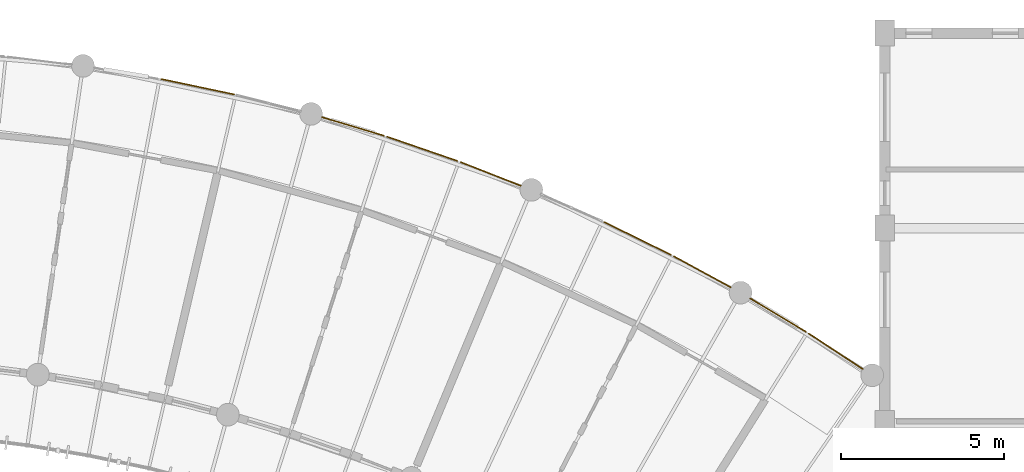
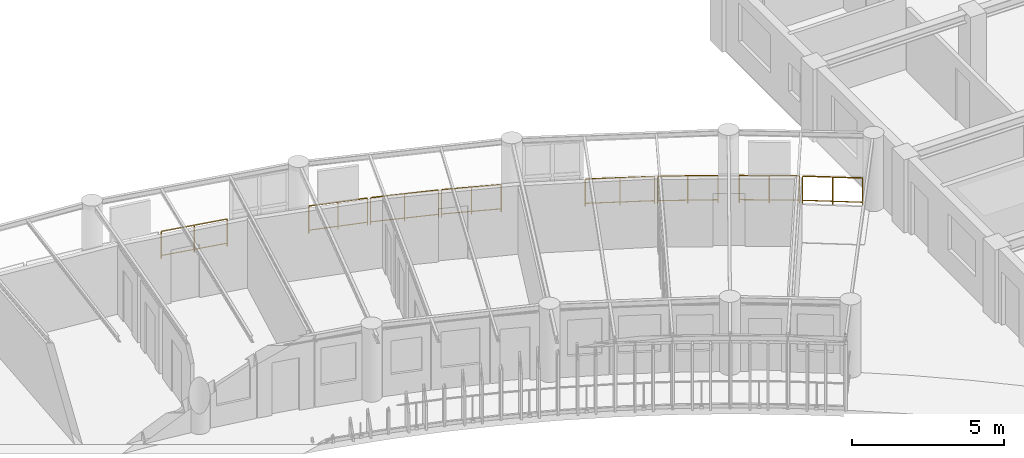
# One storey, part 137 of 137: 8 railings.
"""IFC4 building model written with IfcOpenShell, lengths in metres."""

from ifc_helpers import new_model, si_unit, direction, frame, origin, origin_2d, place, context, subcontext, project, spatial, circle, extrude, material, layer, layer_set, type_object, element, save


model = new_model("IFC4")

# Units and contexts
model_context = context("Model", 3, precision=1e-05, world=origin(), true_north=direction((0.0, 1.0)))
body_context = subcontext(model_context, "Body", "Model", "MODEL_VIEW")
ifc_project = project(units=[si_unit("LENGTHUNIT", "METRE"), si_unit("AREAUNIT", "SQUARE_METRE"), si_unit("VOLUMEUNIT", "CUBIC_METRE"), si_unit("PLANEANGLEUNIT", "RADIAN"), si_unit("MASSUNIT", "GRAM", prefix="KILO"), si_unit("POWERUNIT", "WATT"), si_unit("THERMODYNAMICTEMPERATUREUNIT", "KELVIN")], contexts=[model_context])

# Site, building, storey
site_placement = place(None, origin())
site = spatial("IfcSite", under=ifc_project, at=site_placement, CompositionType="ELEMENT")
building_placement = place(site_placement, origin())
building = spatial("IfcBuilding", under=site, at=building_placement, Name="Ruvembo Vaulted Housing Court", CompositionType="ELEMENT")
storey_placement = place(building_placement, frame((0.0, 0.0, 4.5)))
storey = spatial("IfcBuildingStorey", under=building, at=storey_placement, Name="L01", CompositionType="ELEMENT", Elevation=4.5)

# Railings
ifc_material = material(Name="Galvanised Painted Steel and Laminated Glass", Category="steel")
ifc_layer = layer(ifc_material, 0.070068359375, Name="Galvanised Painted Steel and Laminated Glass")
ifc_layer_set = layer_set([ifc_layer], Name="Galvanised Painted Steel and Laminated Glass")
railing_type = type_object("IfcRailingType", Name="RL-BALUST-1120", PredefinedType="BALUSTRADE", material=ifc_layer_set)
railing_1_placement = place(storey_placement, frame((127.74609375, 106.587646484375, 0.0)))
element("IfcRailing", 1, at=railing_1_placement, inside=storey, type_object=railing_type, Name="L01 Perimeter Guard RL-EXT-L01-0600", PredefinedType="BALUSTRADE", context=body_context, shape_type="SweptSolid", body=[
    extrude(circle(Radius=0.02392578125, at=origin_2d()), frame((0.0, 0.0, 1.09619140625), z_axis=(0.978529427243, -0.206107156642, 0.0), x_axis=(0.206107156642, 0.978529427243, 0.0)), (0.0, 0.0, 1.0), 2.290771484375),
    extrude(circle(Radius=0.01806640625, at=origin_2d()), frame((0.0, 0.0, 0.1201171875), z_axis=(0.978529427243, -0.206107156642, 0.0), x_axis=(0.206107156642, 0.978529427243, 0.0)), (0.0, 0.0, 1.0), 2.290771484375),
    extrude(circle(Radius=0.02099609375, at=origin_2d()), origin(), (0.0, 0.0, 1.0), 1.072021484375),
    extrude(circle(Radius=0.02099609375, at=origin_2d()), frame((1.120849609375, -0.236083984375, 0.0)), (0.0, 0.0, 1.0), 1.072021484375),
    extrude(circle(Radius=0.02099609375, at=origin_2d()), frame((2.24169921875, -0.47216796875, 0.0)), (0.0, 0.0, 1.0), 1.072021484375),
])
railing_2_placement = place(storey_placement, frame((132.68896484375, 105.415771484375, 0.0)))
element("IfcRailing", 2, at=railing_2_placement, inside=storey, type_object=railing_type, Name="L01 Perimeter Guard RL-EXT-L01-0601", PredefinedType="BALUSTRADE", context=body_context, shape_type="SweptSolid", body=[
    extrude(circle(Radius=0.02392578125, at=origin_2d()), frame((0.0, 0.0, 1.09619140625), z_axis=(0.958058843181, -0.286571549535, 0.0), x_axis=(0.286571549535, 0.958058843181, 0.0)), (0.0, 0.0, 1.0), 1.990966796875),
    extrude(circle(Radius=0.01806640625, at=origin_2d()), frame((0.0, 0.0, 0.1201171875), z_axis=(0.958058843181, -0.286571549535, 0.0), x_axis=(0.286571549535, 0.958058843181, 0.0)), (0.0, 0.0, 1.0), 1.990966796875),
    extrude(circle(Radius=0.02099609375, at=origin_2d()), origin(), (0.0, 0.0, 1.0), 1.072021484375),
    extrude(circle(Radius=0.02099609375, at=origin_2d()), frame((0.95361328125, -0.28515625, 0.0)), (0.0, 0.0, 1.0), 1.072021484375),
    extrude(circle(Radius=0.02099609375, at=origin_2d()), frame((1.907470703125, -0.570556640625, 0.0)), (0.0, 0.0, 1.0), 1.072021484375),
])
railing_3_placement = place(storey_placement, frame((134.691650390625, 104.814697265625, 0.0)))
element("IfcRailing", 3, at=railing_3_placement, inside=storey, type_object=railing_type, Name="L01 Perimeter Guard RL-EXT-L01-0602", PredefinedType="BALUSTRADE", context=body_context, shape_type="SweptSolid", body=[
    extrude(circle(Radius=0.02392578125, at=origin_2d()), frame((0.0, 0.0, 1.09619140625), z_axis=(0.945360522116, -0.326026813659, 0.0), x_axis=(0.326026813659, 0.945360522116, 0.0)), (0.0, 0.0, 1.0), 2.290771484375),
    extrude(circle(Radius=0.01806640625, at=origin_2d()), frame((0.0, 0.0, 0.1201171875), z_axis=(0.945360522116, -0.326026813659, 0.0), x_axis=(0.326026813659, 0.945360522116, 0.0)), (0.0, 0.0, 1.0), 2.290771484375),
    extrude(circle(Radius=0.02099609375, at=origin_2d()), origin(), (0.0, 0.0, 1.0), 1.072021484375),
    extrude(circle(Radius=0.02099609375, at=origin_2d()), frame((1.082763671875, -0.37353515625, 0.0)), (0.0, 0.0, 1.0), 1.072021484375),
    extrude(circle(Radius=0.02099609375, at=origin_2d()), frame((2.16552734375, -0.746826171875, 0.0)), (0.0, 0.0, 1.0), 1.072021484375),
])
railing_4_placement = place(storey_placement, frame((136.951171875, 104.033447265625, 0.0)))
element("IfcRailing", 4, at=railing_4_placement, inside=storey, type_object=railing_type, Name="L01 Perimeter Guard RL-EXT-L01-0603", PredefinedType="BALUSTRADE", context=body_context, shape_type="SweptSolid", body=[
    extrude(circle(Radius=0.02392578125, at=origin_2d()), frame((0.0, 0.0, 1.09619140625), z_axis=(0.930967477035, -0.365102118184, 0.0), x_axis=(0.365102118184, 0.930967477035, 0.0)), (0.0, 0.0, 1.0), 1.99072265625),
    extrude(circle(Radius=0.01806640625, at=origin_2d()), frame((0.0, 0.0, 0.1201171875), z_axis=(0.930967477035, -0.365102118184, 0.0), x_axis=(0.365102118184, 0.930967477035, 0.0)), (0.0, 0.0, 1.0), 1.99072265625),
    extrude(circle(Radius=0.02099609375, at=origin_2d()), origin(), (0.0, 0.0, 1.0), 1.072021484375),
    extrude(circle(Radius=0.02099609375, at=origin_2d()), frame((0.9267578125, -0.36328125, 0.0)), (0.0, 0.0, 1.0), 1.072021484375),
    extrude(circle(Radius=0.02099609375, at=origin_2d()), frame((1.853271484375, -0.726806640625, 0.0)), (0.0, 0.0, 1.0), 1.072021484375),
])
railing_5_placement = place(storey_placement, frame((141.363037109375, 102.19287109375, 0.0)))
element("IfcRailing", 5, at=railing_5_placement, inside=storey, type_object=railing_type, Name="L01 Perimeter Guard RL-EXT-L01-0604", PredefinedType="BALUSTRADE", context=body_context, shape_type="SweptSolid", body=[
    extrude(circle(Radius=0.02392578125, at=origin_2d()), frame((0.0, 0.0, 1.09619140625), z_axis=(0.897517329608, -0.440979186644, 0.0), x_axis=(0.440979186644, 0.897517329608, 0.0)), (0.0, 0.0, 1.0), 2.291015625),
    extrude(circle(Radius=0.01806640625, at=origin_2d()), frame((0.0, 0.0, 0.1201171875), z_axis=(0.897517329608, -0.440979186644, 0.0), x_axis=(0.440979186644, 0.897517329608, 0.0)), (0.0, 0.0, 1.0), 2.291015625),
    extrude(circle(Radius=0.02099609375, at=origin_2d()), origin(), (0.0, 0.0, 1.0), 1.072021484375),
    extrude(circle(Radius=0.02099609375, at=origin_2d()), frame((1.028076171875, -0.505126953125, 0.0)), (0.0, 0.0, 1.0), 1.072021484375),
    extrude(circle(Radius=0.02099609375, at=origin_2d()), frame((2.05615234375, -1.01025390625, 0.0)), (0.0, 0.0, 1.0), 1.072021484375),
])
railing_6_placement = place(storey_placement, frame((143.508056640625, 101.13671875, 0.0)))
element("IfcRailing", 6, at=railing_6_placement, inside=storey, type_object=railing_type, Name="L01 Perimeter Guard RL-EXT-L01-0605", PredefinedType="BALUSTRADE", context=body_context, shape_type="SweptSolid", body=[
    extrude(circle(Radius=0.02392578125, at=origin_2d()), frame((0.0, 0.0, 1.09619140625), z_axis=(0.878466743938, -0.477803494958, 0.0), x_axis=(0.477803494958, 0.878466743938, 0.0)), (0.0, 0.0, 1.0), 1.99072265625),
    extrude(circle(Radius=0.01806640625, at=origin_2d()), frame((0.0, 0.0, 0.1201171875), z_axis=(0.878466743938, -0.477803494958, 0.0), x_axis=(0.477803494958, 0.878466743938, 0.0)), (0.0, 0.0, 1.0), 1.99072265625),
    extrude(circle(Radius=0.02099609375, at=origin_2d()), origin(), (0.0, 0.0, 1.0), 1.072021484375),
    extrude(circle(Radius=0.02099609375, at=origin_2d()), frame((0.87451171875, -0.4755859375, 0.0)), (0.0, 0.0, 1.0), 1.072021484375),
    extrude(circle(Radius=0.02099609375, at=origin_2d()), frame((1.748779296875, -0.951171875, 0.0)), (0.0, 0.0, 1.0), 1.072021484375),
])
railing_7_placement = place(storey_placement, frame((145.86474609375, 99.838623046875, 0.0)))
element("IfcRailing", 7, at=railing_7_placement, inside=storey, type_object=railing_type, Name="L01 Perimeter Guard RL-EXT-L01-0606", PredefinedType="BALUSTRADE", context=body_context, shape_type="SweptSolid", body=[
    extrude(circle(Radius=0.02392578125, at=origin_2d()), frame((0.0, 0.0, 1.09619140625), z_axis=(0.857871436595, -0.513864377317, 0.0), x_axis=(0.513864377317, 0.857871436595, 0.0)), (0.0, 0.0, 1.0), 1.99072265625),
    extrude(circle(Radius=0.01806640625, at=origin_2d()), frame((0.0, 0.0, 0.1201171875), z_axis=(0.857871436595, -0.513864377317, 0.0), x_axis=(0.513864377317, 0.857871436595, 0.0)), (0.0, 0.0, 1.0), 1.99072265625),
    extrude(circle(Radius=0.02099609375, at=origin_2d()), origin(), (0.0, 0.0, 1.0), 1.072021484375),
    extrude(circle(Radius=0.02099609375, at=origin_2d()), frame((0.85400390625, -0.511474609375, 0.0)), (0.0, 0.0, 1.0), 1.072021484375),
    extrude(circle(Radius=0.02099609375, at=origin_2d()), frame((1.707763671875, -1.02294921875, 0.0)), (0.0, 0.0, 1.0), 1.072021484375),
])
railing_8_placement = place(storey_placement, frame((147.6572265625, 98.762451171875, 0.0)))
element("IfcRailing", 8, at=railing_8_placement, inside=storey, type_object=railing_type, Name="L01 Perimeter Guard RL-EXT-L01-0607", PredefinedType="BALUSTRADE", context=body_context, shape_type="SweptSolid", body=[
    extrude(circle(Radius=0.02392578125, at=origin_2d()), frame((0.0, 0.0, 1.09619140625), z_axis=(0.835822843762, -0.548999247582, 0.0), x_axis=(0.548999247582, 0.835822843762, 0.0)), (0.0, 0.0, 1.0), 1.990966796875),
    extrude(circle(Radius=0.01806640625, at=origin_2d()), frame((0.0, 0.0, 0.1201171875), z_axis=(0.835822843762, -0.548999247582, 0.0), x_axis=(0.548999247582, 0.835822843762, 0.0)), (0.0, 0.0, 1.0), 1.990966796875),
    extrude(circle(Radius=0.02099609375, at=origin_2d()), origin(), (0.0, 0.0, 1.0), 1.072021484375),
    extrude(circle(Radius=0.02099609375, at=origin_2d()), frame((0.83203125, -0.54638671875, 0.0)), (0.0, 0.0, 1.0), 1.072021484375),
    extrude(circle(Radius=0.02099609375, at=origin_2d()), frame((1.6640625, -1.093017578125, 0.0)), (0.0, 0.0, 1.0), 1.072021484375),
])

save(model, "model.ifc")
